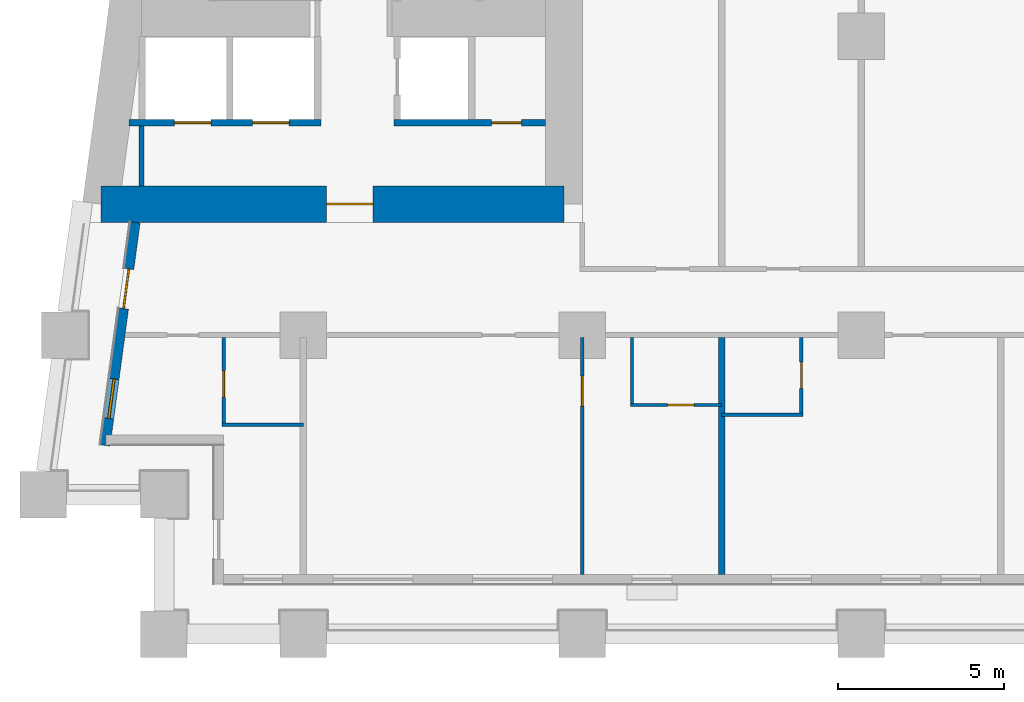
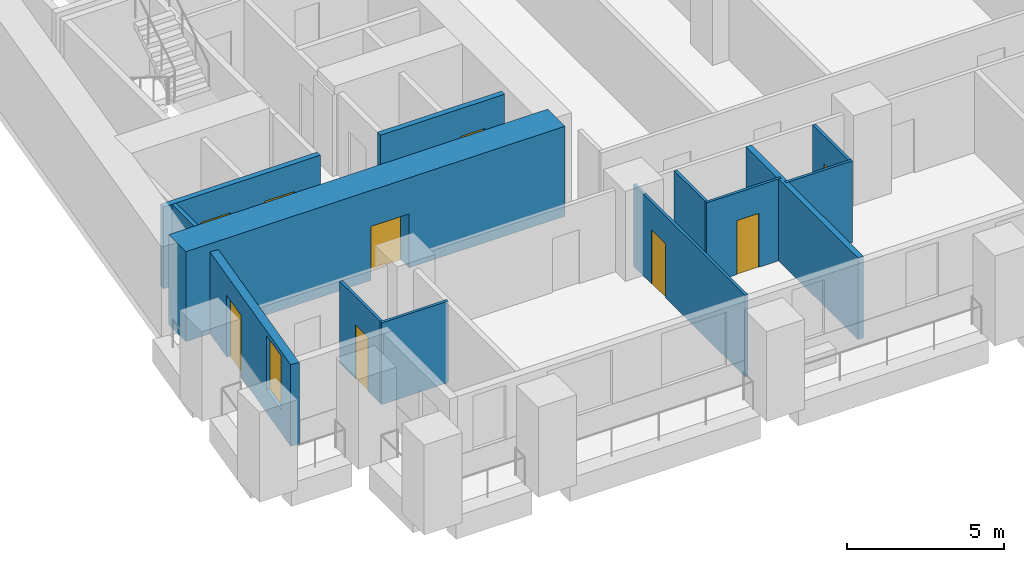
# One storey, part 2 of 12: 13 walls, 9 doors, 1 window, 10 openings.
"""IFC4 building model written with IfcOpenShell, lengths in metres."""

from ifc_helpers import new_model, si_unit, direction, frame, frame_2d, origin, place, context, subcontext, project, spatial, rectangle, extrude, material, layer, layer_set, type_object, element, fill, save


model = new_model("IFC4")

# Units and contexts
model_context = context("Model", 3, precision=1e-05, world=origin(), true_north=direction((0.0, 1.0)))
body_context = subcontext(model_context, "Body", "Model", "MODEL_VIEW")
ifc_project = project(units=[si_unit("LENGTHUNIT", "METRE"), si_unit("AREAUNIT", "SQUARE_METRE"), si_unit("VOLUMEUNIT", "CUBIC_METRE"), si_unit("PLANEANGLEUNIT", "RADIAN"), si_unit("MASSUNIT", "GRAM", prefix="KILO")], contexts=[model_context])

# Site, building, storey
site_placement = place(None, origin())
site = spatial("IfcSite", under=ifc_project, at=site_placement, CompositionType="ELEMENT")
building_placement = place(site_placement, origin())
building = spatial("IfcBuilding", under=site, at=building_placement, Name="Candeia Pilgrim Tower and Theatre", CompositionType="ELEMENT")
storey_placement = place(building_placement, frame((0.0, 0.0, 74.0)))
storey = spatial("IfcBuildingStorey", under=building, at=storey_placement, Name="L16", CompositionType="ELEMENT", Elevation=74.0)

# Wall, opening, door
ifc_material_1 = material(Name="Concrete C80/95", Category="concrete")
ifc_layer_1 = layer(ifc_material_1, 1.10009765625)
ifc_layer_set_1 = layer_set([ifc_layer_1], Name="Core wall 1100 C80/95")
wall_type_1 = type_object("IfcWallType", Name="Core wall 1100 C80/95", PredefinedType="SHEAR", material=ifc_layer_set_1)
wall_1_placement = place(storey_placement, frame((100.25, 110.949951171875, 0.0), z_axis=(0.0, 0.0, 1.0), x_axis=(-1.0, 0.0, 0.0)))
wall_1 = element("IfcWall", 1, at=wall_1_placement, inside=storey, type_object=wall_type_1, Name="Core wall W3", PredefinedType="SHEAR", context=body_context, shape_type="SweptSolid", body=[
    extrude(rectangle(XDim=13.95166015625, YDim=1.10009765625, at=frame_2d((6.975830078125, 0.0))), origin(), (0.0, 0.0, 1.0), 3.5),
])
opening_1_placement = place(wall_1_placement, frame((5.74755859375, 0.0, 0.0)))
opening_1 = element("IfcOpeningElement", 2, at=opening_1_placement, cuts=wall_1, Name="Opening L16-D046", PredefinedType="OPENING", context=body_context, shape_type="SweptSolid", body=[
    extrude(rectangle(XDim=1.39990234375, YDim=2.10009765625, at=frame_2d((0.699951171875, 1.050048828125))), frame((0.0, 0.56005859375, 0.0), z_axis=(0.0, -1.0, 0.0), x_axis=(1.0, 0.0, 0.0)), (0.0, 0.0, 1.0), 1.1201171875),
])
ifc_material_2 = material(Name="Steel fire door set", Category="steel")
door_type_1 = type_object("IfcDoorType", Name="D-1400-FD60", OperationType="NOTDEFINED", PredefinedType="DOOR", material=ifc_material_2)
door_1_placement = place(opening_1_placement, origin())
door_1 = element("IfcDoor", 3, at=door_1_placement, inside=storey, type_object=door_type_1, Name="Door L16-D046", OperationType="SINGLE_SWING_RIGHT", OverallHeight=2.10009765625, OverallWidth=1.39990234375, PredefinedType="DOOR", context=body_context, shape_type="SweptSolid", body=[
    extrude(rectangle(XDim=1.39990234375, YDim=2.10009765625, at=frame_2d((0.699951171875, 1.050048828125))), frame((0.0, 0.02490234375, 0.0), z_axis=(0.0, -1.0, 0.0), x_axis=(1.0, 0.0, 0.0)), (0.0, 0.0, 1.0), 0.050048828125),
])
fill(opening_1, door_1)

# Wall, openings, door, window
ifc_material_3 = material(Name="Ceramic block masonry", Category="masonry")
ifc_layer_2 = layer(ifc_material_3, 0.300048828125)
ifc_layer_set_2 = layer_set([ifc_layer_2], Name="EW1 glazing-line wall 300")
wall_type_2 = type_object("IfcWallType", Name="EW1 glazing-line wall 300", PredefinedType="SOLIDWALL", material=ifc_layer_set_2)
wall_2_placement = place(storey_placement, frame((87.334228515625, 110.39990234375, 0.0), z_axis=(0.0, 0.0, 1.0), x_axis=(-0.133437175554, -0.991057273915, 0.0)))
wall_2 = element("IfcWall", 4, at=wall_2_placement, inside=storey, type_object=wall_type_2, Name="External wall L16-9.1", PredefinedType="SOLIDWALL", context=body_context, shape_type="SweptSolid", body=[
    extrude(rectangle(XDim=6.780517578125, YDim=0.300048828125, at=frame_2d((3.39013671875, 0.0))), origin(), (0.0, 0.0, 1.0), 3.179931640625),
])
opening_2_placement = place(wall_2_placement, frame((1.41796875, 0.0, 0.0)))
opening_2 = element("IfcOpeningElement", 5, at=opening_2_placement, cuts=wall_2, Name="Opening L16-ED182", PredefinedType="OPENING", context=body_context, shape_type="SweptSolid", body=[
    extrude(rectangle(XDim=1.199951171875, YDim=2.39990234375, at=frame_2d((0.60009765625, 1.199951171875))), frame((0.0, 0.16015625, 0.0), z_axis=(0.0, -1.0, 0.0), x_axis=(1.0, 0.0, 0.0)), (0.0, 0.0, 1.0), 0.320068359375),
])
opening_3_placement = place(wall_2_placement, frame((4.75830078125, 0.0, 0.89990234375)))
opening_3 = element("IfcOpeningElement", 6, at=opening_3_placement, cuts=wall_2, Name="Opening W-B", PredefinedType="OPENING", context=body_context, shape_type="SweptSolid", body=[
    extrude(rectangle(XDim=1.199951171875, YDim=2.10009765625, at=frame_2d((0.60009765625, 1.050048828125))), frame((0.0, 0.16015625, 0.0), z_axis=(0.0, -1.0, 0.0), x_axis=(1.0, 0.0, 0.0)), (0.0, 0.0, 1.0), 0.320068359375),
])
ifc_material_4 = material(Name="Aluminium framed glazed door", Category="aluminium")
door_type_2 = type_object("IfcDoorType", Name="Loggia door 1200x2400", OperationType="DOUBLE_DOOR_SINGLE_SWING", PredefinedType="DOOR", material=ifc_material_4)
door_2_placement = place(opening_2_placement, origin())
door_2 = element("IfcDoor", 7, at=door_2_placement, inside=storey, type_object=door_type_2, Name="Loggia door L16-ED182", OperationType="DOUBLE_DOOR_SINGLE_SWING", OverallHeight=2.39990234375, OverallWidth=1.199951171875, PredefinedType="DOOR", context=body_context, shape_type="SweptSolid", body=[
    extrude(rectangle(XDim=1.199951171875, YDim=2.39990234375, at=frame_2d((0.60009765625, 1.199951171875))), frame((0.0, 0.02490234375, 0.0), z_axis=(0.0, -1.0, 0.0), x_axis=(1.0, 0.0, 0.0)), (0.0, 0.0, 1.0), 0.050048828125),
])
fill(opening_2, door_2)
ifc_material_5 = material(Name="Aluminium framed double glazing", Category="aluminium")
window_type = type_object("IfcWindowType", Name="W-B window 1200x2100", PartitioningType="SINGLE_PANEL", PredefinedType="WINDOW", material=ifc_material_5)
window_placement = place(opening_3_placement, origin())
window = element("IfcWindow", 8, at=window_placement, inside=storey, type_object=window_type, Name="Window W-B L16", OverallHeight=2.10009765625, OverallWidth=1.199951171875, PartitioningType="SINGLE_PANEL", PredefinedType="WINDOW", context=body_context, shape_type="SweptSolid", body=[
    extrude(rectangle(XDim=1.199951171875, YDim=2.10009765625, at=frame_2d((0.60009765625, 1.050048828125))), frame((0.0, 0.030029296875, 0.0), z_axis=(0.0, -1.0, 0.0), x_axis=(1.0, 0.0, 0.0)), (0.0, 0.0, 1.0), 0.06005859375),
])
fill(opening_3, window)

# Walls
ifc_material_6 = material(Name="Gypsum board partition on steel studs", Category="steel")
ifc_layer_3 = layer(ifc_material_6, 0.10009765625)
ifc_layer_set_3 = layer_set([ifc_layer_3], Name="PW-100 room partition")
wall_type_3 = type_object("IfcWallType", Name="PW-100 room partition", PredefinedType="PARTITIONING", material=ifc_layer_set_3)
for number, where, z_axis, x_axis, name in (
    (9, (89.949951171875, 104.300048828125, 0.0), (0.0, 0.0, 1.0), (1.0, 0.0, 0.0), "Room partition L16-001"),
    (10, (105.0, 104.60009765625, 0.0), (0.0, 0.0, 1.0), (1.0, 0.0, 0.0), "Room partition L16-004"),
):
    element("IfcWall", number, at=place(storey_placement, frame(where, z_axis=z_axis, x_axis=x_axis)), inside=storey, type_object=wall_type_3, Name=name, PredefinedType="PARTITIONING", context=body_context, shape_type="SweptSolid", body=[
        extrude(rectangle(XDim=2.449951171875, YDim=0.10009765625, at=frame_2d((1.22509765625, 0.0))), origin(), (0.0, 0.0, 1.0), 3.179931640625),
    ])

# Wall, opening, door
wall_3_placement = place(storey_placement, frame((102.25, 104.89990234375, 0.0), z_axis=(0.0, 0.0, 1.0), x_axis=(1.0, 0.0, 0.0)))
wall_3 = element("IfcWall", 11, at=wall_3_placement, inside=storey, type_object=wall_type_3, Name="Room partition L16-005", PredefinedType="PARTITIONING", context=body_context, shape_type="SweptSolid", body=[
    extrude(rectangle(XDim=2.75, YDim=0.10009765625, at=frame_2d((1.375, 0.0))), origin(), (0.0, 0.0, 1.0), 3.179931640625),
])
opening_4_placement = place(wall_3_placement, frame((1.1201171875, 0.0, 0.0)))
opening_4 = element("IfcOpeningElement", 12, at=opening_4_placement, cuts=wall_3, Name="Opening L16-D018", PredefinedType="OPENING", context=body_context, shape_type="SweptSolid", body=[
    extrude(rectangle(XDim=0.800048828125, YDim=2.10009765625, at=frame_2d((0.39990234375, 1.050048828125))), frame((0.0, 0.06005859375, 0.0), z_axis=(0.0, -1.0, 0.0), x_axis=(1.0, 0.0, 0.0)), (0.0, 0.0, 1.0), 0.1201171875),
])
ifc_material_7 = material(Name="Timber door leaf", Category="wood")
door_type_3 = type_object("IfcDoorType", Name="D-800", OperationType="NOTDEFINED", PredefinedType="DOOR", material=ifc_material_7)
door_3_placement = place(opening_4_placement, origin())
door_3 = element("IfcDoor", 13, at=door_3_placement, inside=storey, type_object=door_type_3, Name="Door L16-D018", OperationType="SINGLE_SWING_RIGHT", OverallHeight=2.10009765625, OverallWidth=0.800048828125, PredefinedType="DOOR", context=body_context, shape_type="SweptSolid", body=[
    extrude(rectangle(XDim=0.800048828125, YDim=2.10009765625, at=frame_2d((0.39990234375, 1.050048828125))), frame((0.0, 0.02490234375, 0.0), z_axis=(0.0, -1.0, 0.0), x_axis=(1.0, 0.0, 0.0)), (0.0, 0.0, 1.0), 0.050048828125),
])
fill(opening_4, door_3)

wall_4_placement = place(storey_placement, frame((90.0, 104.35009765625, 0.0), z_axis=(0.0, 0.0, 1.0), x_axis=(0.0, 1.0, 0.0)))
wall_4 = element("IfcWall", 14, at=wall_4_placement, inside=storey, type_object=wall_type_3, Name="Room partition L16-047", PredefinedType="PARTITIONING", context=body_context, shape_type="SweptSolid", body=[
    extrude(rectangle(XDim=2.574951171875, YDim=0.10009765625, at=frame_2d((1.28759765625, 0.0))), origin(), (0.0, 0.0, 1.0), 3.179931640625),
])
opening_5_placement = place(wall_4_placement, frame((0.780029296875, 0.0, 0.0)))
opening_5 = element("IfcOpeningElement", 15, at=opening_5_placement, cuts=wall_4, Name="Opening L16-D015", PredefinedType="OPENING", context=body_context, shape_type="SweptSolid", body=[
    extrude(rectangle(XDim=0.800048828125, YDim=2.10009765625, at=frame_2d((0.39990234375, 1.050048828125))), frame((0.0, 0.06005859375, 0.0), z_axis=(0.0, -1.0, 0.0), x_axis=(1.0, 0.0, 0.0)), (0.0, 0.0, 1.0), 0.1201171875),
])
door_4_placement = place(opening_5_placement, origin())
door_4 = element("IfcDoor", 16, at=door_4_placement, inside=storey, type_object=door_type_3, Name="Door L16-D015", OperationType="SINGLE_SWING_LEFT", OverallHeight=2.10009765625, OverallWidth=0.800048828125, PredefinedType="DOOR", context=body_context, shape_type="SweptSolid", body=[
    extrude(rectangle(XDim=0.800048828125, YDim=2.10009765625, at=frame_2d((0.39990234375, 1.050048828125))), frame((0.0, 0.02490234375, 0.0), z_axis=(0.0, -1.0, 0.0), x_axis=(1.0, 0.0, 0.0)), (0.0, 0.0, 1.0), 0.050048828125),
])
fill(opening_5, door_4)

wall_5_placement = place(storey_placement, frame((100.800048828125, 99.7900390625, 0.0), z_axis=(0.0, 0.0, 1.0), x_axis=(0.0, 1.0, 0.0)))
wall_5 = element("IfcWall", 17, at=wall_5_placement, inside=storey, type_object=wall_type_3, Name="Room partition L16-063", PredefinedType="PARTITIONING", context=body_context, shape_type="SweptSolid", body=[
    extrude(rectangle(XDim=7.135009765625, YDim=0.10009765625, at=frame_2d((3.5673828125, 0.0))), origin(), (0.0, 0.0, 1.0), 3.179931640625),
])
opening_6_placement = place(wall_5_placement, frame((5.074951171875, 0.0, 0.0)))
opening_6 = element("IfcOpeningElement", 18, at=opening_6_placement, cuts=wall_5, Name="Opening L16-D017", PredefinedType="OPENING", context=body_context, shape_type="SweptSolid", body=[
    extrude(rectangle(XDim=0.89990234375, YDim=2.10009765625, at=frame_2d((0.449951171875, 1.050048828125))), frame((0.0, 0.06005859375, 0.0), z_axis=(0.0, -1.0, 0.0), x_axis=(1.0, 0.0, 0.0)), (0.0, 0.0, 1.0), 0.1201171875),
])
door_type_4 = type_object("IfcDoorType", Name="D-900", OperationType="NOTDEFINED", PredefinedType="DOOR", material=ifc_material_7)
door_5_placement = place(opening_6_placement, origin())
door_5 = element("IfcDoor", 19, at=door_5_placement, inside=storey, type_object=door_type_4, Name="Door L16-D017", OperationType="SINGLE_SWING_LEFT", OverallHeight=2.10009765625, OverallWidth=0.89990234375, PredefinedType="DOOR", context=body_context, shape_type="SweptSolid", body=[
    extrude(rectangle(XDim=0.89990234375, YDim=2.10009765625, at=frame_2d((0.449951171875, 1.050048828125))), frame((0.0, 0.02490234375, 0.0), z_axis=(0.0, -1.0, 0.0), x_axis=(1.0, 0.0, 0.0)), (0.0, 0.0, 1.0), 0.050048828125),
])
fill(opening_6, door_5)

# Wall
wall_6_placement = place(storey_placement, frame((102.300048828125, 104.949951171875, 0.0), z_axis=(0.0, 0.0, 1.0), x_axis=(0.0, 1.0, 0.0)))
element("IfcWall", 20, at=wall_6_placement, inside=storey, type_object=wall_type_3, Name="Room partition L16-067", PredefinedType="PARTITIONING", context=body_context, shape_type="SweptSolid", body=[
    extrude(rectangle(XDim=1.97509765625, YDim=0.10009765625, at=frame_2d((0.987548828125, 0.0))), origin(), (0.0, 0.0, 1.0), 3.179931640625),
])

# Wall, opening, door
wall_7_placement = place(storey_placement, frame((107.39990234375, 104.64990234375, 0.0), z_axis=(0.0, 0.0, 1.0), x_axis=(0.0, 1.0, 0.0)))
wall_7 = element("IfcWall", 21, at=wall_7_placement, inside=storey, type_object=wall_type_3, Name="Room partition L16-071", PredefinedType="PARTITIONING", context=body_context, shape_type="SweptSolid", body=[
    extrude(rectangle(XDim=2.275146484375, YDim=0.10009765625, at=frame_2d((1.1376953125, 0.0))), origin(), (0.0, 0.0, 1.0), 3.179931640625),
])
opening_7_placement = place(wall_7_placement, frame((0.75, 0.0, 0.0)))
opening_7 = element("IfcOpeningElement", 22, at=opening_7_placement, cuts=wall_7, Name="Opening L16-D020", PredefinedType="OPENING", context=body_context, shape_type="SweptSolid", body=[
    extrude(rectangle(XDim=0.800048828125, YDim=2.10009765625, at=frame_2d((0.39990234375, 1.050048828125))), frame((0.0, 0.06005859375, 0.0), z_axis=(0.0, -1.0, 0.0), x_axis=(1.0, 0.0, 0.0)), (0.0, 0.0, 1.0), 0.1201171875),
])
door_6_placement = place(opening_7_placement, origin())
door_6 = element("IfcDoor", 23, at=door_6_placement, inside=storey, type_object=door_type_3, Name="Door L16-D020", OperationType="SINGLE_SWING_RIGHT", OverallHeight=2.10009765625, OverallWidth=0.800048828125, PredefinedType="DOOR", context=body_context, shape_type="SweptSolid", body=[
    extrude(rectangle(XDim=0.800048828125, YDim=2.10009765625, at=frame_2d((0.39990234375, 1.050048828125))), frame((0.0, 0.02490234375, 0.0), z_axis=(0.0, -1.0, 0.0), x_axis=(1.0, 0.0, 0.0)), (0.0, 0.0, 1.0), 0.050048828125),
])
fill(opening_7, door_6)

# Walls
ifc_layer_4 = layer(ifc_material_6, 0.14990234375)
ifc_layer_set_4 = layer_set([ifc_layer_4], Name="PW-150 lobby wall")
wall_type_4 = type_object("IfcWallType", Name="PW-150 lobby wall", PredefinedType="PARTITIONING", material=ifc_layer_set_4)
wall_8_placement = place(storey_placement, frame((87.530029296875, 111.5, 0.0), z_axis=(0.0, 0.0, 1.0), x_axis=(0.0, 1.0, 0.0)))
element("IfcWall", 24, at=wall_8_placement, inside=storey, type_object=wall_type_4, Name="Lobby wall L16-044", PredefinedType="PARTITIONING", context=body_context, shape_type="SweptSolid", body=[
    extrude(rectangle(XDim=1.800048828125, YDim=0.14990234375, at=frame_2d((0.89990234375, 0.0))), origin(), (0.0, 0.0, 1.0), 3.179931640625),
])
ifc_layer_5 = layer(ifc_material_6, 0.199951171875)
ifc_layer_set_5 = layer_set([ifc_layer_5], Name="PW-200 party wall")
wall_type_5 = type_object("IfcWallType", Name="PW-200 party wall", PredefinedType="PARTITIONING", material=ifc_layer_set_5)
wall_9_placement = place(storey_placement, frame((105.0, 99.7900390625, 0.0), z_axis=(0.0, 0.0, 1.0), x_axis=(0.0, 1.0, 0.0)))
element("IfcWall", 25, at=wall_9_placement, inside=storey, type_object=wall_type_5, Name="Party wall L16-068", PredefinedType="PARTITIONING", context=body_context, shape_type="SweptSolid", body=[
    extrude(rectangle(XDim=7.135009765625, YDim=0.199951171875, at=frame_2d((3.5673828125, 0.0))), origin(), (0.0, 0.0, 1.0), 3.179931640625),
])

# Wall, openings, doors
ifc_material_8 = material(Name="Concrete C40/50", Category="concrete")
ifc_layer_6 = layer(ifc_material_8, 0.199951171875)
ifc_layer_set_6 = layer_set([ifc_layer_6], Name="SW-200 shaft wall")
wall_type_6 = type_object("IfcWallType", Name="SW-200 shaft wall", PredefinedType="PARTITIONING", material=ifc_layer_set_6)
wall_10_placement = place(storey_placement, frame((87.153076171875, 113.39990234375, 0.0), z_axis=(0.0, 0.0, 1.0), x_axis=(1.0, 0.0, 0.0)))
wall_10 = element("IfcWall", 26, at=wall_10_placement, inside=storey, type_object=wall_type_6, Name="Shaft wall L16-009", PredefinedType="PARTITIONING", context=body_context, shape_type="SweptSolid", body=[
    extrude(rectangle(XDim=5.77392578125, YDim=0.199951171875, at=frame_2d((2.886962890625, 0.0))), origin(), (0.0, 0.0, 1.0), 3.179931640625),
])
opening_8_placement = place(wall_10_placement, frame((1.363037109375, 0.0, 0.0)))
opening_8 = element("IfcOpeningElement", 27, at=opening_8_placement, cuts=wall_10, Name="Opening L16-LD03", PredefinedType="OPENING", context=body_context, shape_type="SweptSolid", body=[
    extrude(rectangle(XDim=1.10009765625, YDim=2.10009765625, at=frame_2d((0.550048828125, 1.050048828125))), frame((0.0, 0.10986328125, 0.0), z_axis=(0.0, -1.0, 0.0), x_axis=(1.0, 0.0, 0.0)), (0.0, 0.0, 1.0), 0.219970703125),
])
opening_9_placement = place(wall_10_placement, frame((3.715087890625, 0.0, 0.0)))
opening_9 = element("IfcOpeningElement", 28, at=opening_9_placement, cuts=wall_10, Name="Opening L16-LD04", PredefinedType="OPENING", context=body_context, shape_type="SweptSolid", body=[
    extrude(rectangle(XDim=1.10009765625, YDim=2.10009765625, at=frame_2d((0.550048828125, 1.050048828125))), frame((0.0, 0.10986328125, 0.0), z_axis=(0.0, -1.0, 0.0), x_axis=(1.0, 0.0, 0.0)), (0.0, 0.0, 1.0), 0.219970703125),
])
ifc_material_9 = material(Name="Glazed aluminium landing door", Category="aluminium")
door_type_5 = type_object("IfcDoorType", Name="LD-1100-EI120", OperationType="SLIDING_TO_LEFT", PredefinedType="DOOR", material=ifc_material_9)
door_7_placement = place(opening_8_placement, origin())
door_7 = element("IfcDoor", 29, at=door_7_placement, inside=storey, type_object=door_type_5, Name="Landing door 03 L16", OperationType="SLIDING_TO_LEFT", OverallHeight=2.10009765625, OverallWidth=1.10009765625, PredefinedType="DOOR", context=body_context, shape_type="SweptSolid", body=[
    extrude(rectangle(XDim=1.10009765625, YDim=2.10009765625, at=frame_2d((0.550048828125, 1.050048828125))), frame((0.0, 0.02490234375, 0.0), z_axis=(0.0, -1.0, 0.0), x_axis=(1.0, 0.0, 0.0)), (0.0, 0.0, 1.0), 0.050048828125),
])
fill(opening_8, door_7)
door_8_placement = place(opening_9_placement, origin())
door_8 = element("IfcDoor", 30, at=door_8_placement, inside=storey, type_object=door_type_5, Name="Landing door 04 L16", OperationType="SLIDING_TO_LEFT", OverallHeight=2.10009765625, OverallWidth=1.10009765625, PredefinedType="DOOR", context=body_context, shape_type="SweptSolid", body=[
    extrude(rectangle(XDim=1.10009765625, YDim=2.10009765625, at=frame_2d((0.550048828125, 1.050048828125))), frame((0.0, 0.02490234375, 0.0), z_axis=(0.0, -1.0, 0.0), x_axis=(1.0, 0.0, 0.0)), (0.0, 0.0, 1.0), 0.050048828125),
])
fill(opening_9, door_8)

# Wall, opening, door
wall_11_placement = place(storey_placement, frame((95.126953125, 113.39990234375, 0.0), z_axis=(0.0, 0.0, 1.0), x_axis=(1.0, 0.0, 0.0)))
wall_11 = element("IfcWall", 31, at=wall_11_placement, inside=storey, type_object=wall_type_6, Name="Shaft wall L16-010", PredefinedType="PARTITIONING", context=body_context, shape_type="SweptSolid", body=[
    extrude(rectangle(XDim=4.572998046875, YDim=0.199951171875, at=frame_2d((2.28662109375, 0.0))), origin(), (0.0, 0.0, 1.0), 3.179931640625),
])
opening_10_placement = place(wall_11_placement, frame((2.94091796875, 0.0, 0.0)))
opening_10 = element("IfcOpeningElement", 32, at=opening_10_placement, cuts=wall_11, Name="Opening L16-D006", PredefinedType="OPENING", context=body_context, shape_type="SweptSolid", body=[
    extrude(rectangle(XDim=0.89990234375, YDim=2.10009765625, at=frame_2d((0.449951171875, 1.050048828125))), frame((0.0, 0.10986328125, 0.0), z_axis=(0.0, -1.0, 0.0), x_axis=(1.0, 0.0, 0.0)), (0.0, 0.0, 1.0), 0.219970703125),
])
door_type_6 = type_object("IfcDoorType", Name="D-900-FD60", OperationType="NOTDEFINED", PredefinedType="DOOR", material=ifc_material_2)
door_9_placement = place(opening_10_placement, origin())
door_9 = element("IfcDoor", 33, at=door_9_placement, inside=storey, type_object=door_type_6, Name="Door L16-D006", OperationType="SINGLE_SWING_LEFT", OverallHeight=2.10009765625, OverallWidth=0.89990234375, PredefinedType="DOOR", context=body_context, shape_type="SweptSolid", body=[
    extrude(rectangle(XDim=0.89990234375, YDim=2.10009765625, at=frame_2d((0.449951171875, 1.050048828125))), frame((0.0, 0.02490234375, 0.0), z_axis=(0.0, -1.0, 0.0), x_axis=(1.0, 0.0, 0.0)), (0.0, 0.0, 1.0), 0.050048828125),
])
fill(opening_10, door_9)

save(model, "model.ifc")
